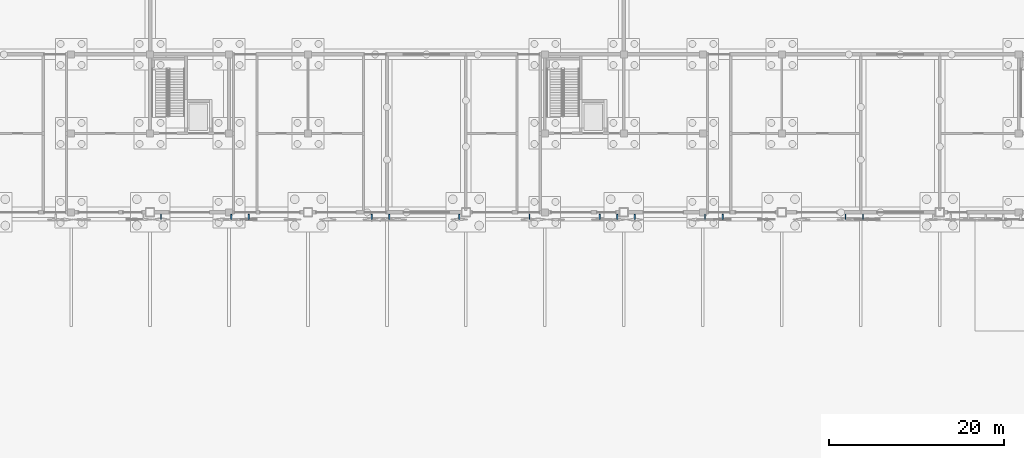
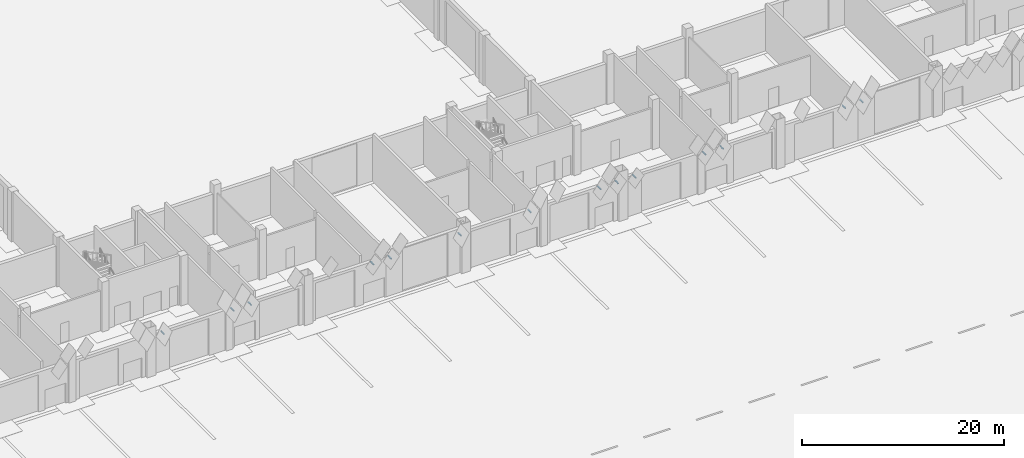
# One storey, part 119 of 198: 14 discrete accessories.
"""IFC4 building model written with IfcOpenShell, lengths in metres."""

from ifc_helpers import new_model, si_unit, direction, frame, origin, place, context, subcontext, project, spatial, polyline, outline, extrude, material, type_object, element, save


model = new_model("IFC4")

# Units and contexts
model_context = context("Model", 3, precision=1e-05, world=origin(), true_north=direction((0.0, 1.0)))
body_context = subcontext(model_context, "Body", "Model", "MODEL_VIEW")
ifc_project = project(units=[si_unit("LENGTHUNIT", "METRE"), si_unit("AREAUNIT", "SQUARE_METRE"), si_unit("VOLUMEUNIT", "CUBIC_METRE"), si_unit("PLANEANGLEUNIT", "RADIAN"), si_unit("MASSUNIT", "GRAM", prefix="KILO")], contexts=[model_context])

# Site, building, storey
site_placement = place(None, origin())
site = spatial("IfcSite", under=ifc_project, at=site_placement, CompositionType="ELEMENT")
building_placement = place(site_placement, origin())
building = spatial("IfcBuilding", under=site, at=building_placement, Name="Opaline Strait Convention Centre", CompositionType="ELEMENT")
storey_placement = place(building_placement, origin())
storey = spatial("IfcBuildingStorey", under=building, at=storey_placement, Name="L00", CompositionType="ELEMENT", Elevation=0.0)

# Discrete accessories
ifc_material = material(Name="Steel Q355B", Category="steel")
discrete_accessory_type = type_object("IfcDiscreteAccessoryType", Name="Tile bracket 100x100 steel", PredefinedType="BRACKET", material=ifc_material)
discrete_accessory_1_placement = place(storey_placement, frame((154.199951171875, 53.800048828125, 4.89208984375), z_axis=(1.0, 0.0, 0.0), x_axis=(0.0, 1.0, 0.0)))
element("IfcDiscreteAccessory", 1, at=discrete_accessory_1_placement, inside=storey, type_object=discrete_accessory_type, Name="Tile bracket XT15 S", PredefinedType="BRACKET", context=body_context, shape_type="SweptSolid", body=[
    extrude(outline(polyline([(0.0, -0.050048828125), (0.0, 0.050048828125), (-0.593505859375, 0.050048828125), (-0.606689453125, -0.050048828125), (0.0, -0.050048828125)])), origin(), (0.0, 0.0, 1.0), 0.10009765625),
])
discrete_accessory_2_placement = place(storey_placement, frame((162.199951171875, 53.800048828125, 4.89208984375), z_axis=(1.0, 0.0, 0.0), x_axis=(0.0, 1.0, 0.0)))
element("IfcDiscreteAccessory", 2, at=discrete_accessory_2_placement, inside=storey, type_object=discrete_accessory_type, Name="Tile bracket XT09 S", PredefinedType="BRACKET", context=body_context, shape_type="SweptSolid", body=[
    extrude(outline(polyline([(0.0, -0.050048828125), (0.0, 0.050048828125), (-0.595947265625, 0.050048828125), (-0.60400390625, -0.050048828125), (0.0, -0.050048828125)])), origin(), (0.0, 0.0, 1.0), 0.10009765625),
])
discrete_accessory_3_placement = place(storey_placement, frame((164.199951171875, 53.800048828125, 4.89208984375), z_axis=(1.0, 0.0, 0.0), x_axis=(0.0, 1.0, 0.0)))
element("IfcDiscreteAccessory", 3, at=discrete_accessory_3_placement, inside=storey, type_object=discrete_accessory_type, Name="Tile bracket XT06 S", PredefinedType="BRACKET", context=body_context, shape_type="SweptSolid", body=[
    extrude(outline(polyline([(0.0, -0.050048828125), (0.0, 0.050048828125), (-0.597412109375, 0.050048828125), (-0.6025390625, -0.050048828125), (0.0, -0.050048828125)])), origin(), (0.0, 0.0, 1.0), 0.10009765625),
])
discrete_accessory_4_placement = place(storey_placement, frame((178.199951171875, 53.800048828125, 4.89208984375), z_axis=(1.0, 0.0, 0.0), x_axis=(0.0, 1.0, 0.0)))
element("IfcDiscreteAccessory", 4, at=discrete_accessory_4_placement, inside=storey, type_object=discrete_accessory_type, Name="Tile bracket XT14 S", PredefinedType="BRACKET", context=body_context, shape_type="SweptSolid", body=[
    extrude(outline(polyline([(0.0, -0.050048828125), (0.0, 0.050048828125), (-0.606201171875, 0.050048828125), (-0.59375, -0.050048828125), (0.0, -0.050048828125)])), origin(), (0.0, 0.0, 1.0), 0.10009765625),
])
discrete_accessory_5_placement = place(storey_placement, frame((180.199951171875, 53.800048828125, 4.89208984375), z_axis=(1.0, 0.0, 0.0), x_axis=(0.0, 1.0, 0.0)))
element("IfcDiscreteAccessory", 5, at=discrete_accessory_5_placement, inside=storey, type_object=discrete_accessory_type, Name="Tile bracket XT10 S", PredefinedType="BRACKET", context=body_context, shape_type="SweptSolid", body=[
    extrude(outline(polyline([(0.0, -0.050048828125), (0.0, 0.050048828125), (-0.604248046875, 0.050048828125), (-0.595703125, -0.050048828125), (0.0, -0.050048828125)])), origin(), (0.0, 0.0, 1.0), 0.10009765625),
])
discrete_accessory_6_placement = place(storey_placement, frame((188.199951171875, 53.800048828125, 4.89208984375), z_axis=(1.0, 0.0, 0.0), x_axis=(0.0, 1.0, 0.0)))
element("IfcDiscreteAccessory", 6, at=discrete_accessory_6_placement, inside=storey, type_object=discrete_accessory_type, Name="Tile bracket XT12 S", PredefinedType="BRACKET", context=body_context, shape_type="SweptSolid", body=[
    extrude(outline(polyline([(0.0, -0.050048828125), (0.0, 0.050048828125), (-0.5947265625, 0.050048828125), (-0.605224609375, -0.050048828125), (0.0, -0.050048828125)])), origin(), (0.0, 0.0, 1.0), 0.10009765625),
])
discrete_accessory_7_placement = place(storey_placement, frame((196.199951171875, 53.800048828125, 4.89208984375), z_axis=(1.0, 0.0, 0.0), x_axis=(0.0, 1.0, 0.0)))
element("IfcDiscreteAccessory", 7, at=discrete_accessory_7_placement, inside=storey, type_object=discrete_accessory_type, Name="Tile bracket XT13 S", PredefinedType="BRACKET", context=body_context, shape_type="SweptSolid", body=[
    extrude(outline(polyline([(0.0, -0.050048828125), (0.0, 0.050048828125), (-0.59423828125, 0.050048828125), (-0.605712890625, -0.050048828125), (0.0, -0.050048828125)])), origin(), (0.0, 0.0, 1.0), 0.10009765625),
])
discrete_accessory_8_placement = place(storey_placement, frame((204.199951171875, 53.800048828125, 4.89208984375), z_axis=(1.0, 0.0, 0.0), x_axis=(0.0, 1.0, 0.0)))
element("IfcDiscreteAccessory", 8, at=discrete_accessory_8_placement, inside=storey, type_object=discrete_accessory_type, Name="Tile bracket XT07 S", PredefinedType="BRACKET", context=body_context, shape_type="SweptSolid", body=[
    extrude(outline(polyline([(0.0, -0.050048828125), (0.0, 0.050048828125), (-0.60302734375, 0.050048828125), (-0.596923828125, -0.050048828125), (0.0, -0.050048828125)])), origin(), (0.0, 0.0, 1.0), 0.10009765625),
])
discrete_accessory_9_placement = place(storey_placement, frame((206.199951171875, 53.800048828125, 4.89208984375), z_axis=(1.0, 0.0, 0.0), x_axis=(0.0, 1.0, 0.0)))
element("IfcDiscreteAccessory", 9, at=discrete_accessory_9_placement, inside=storey, type_object=discrete_accessory_type, Name="Tile bracket XT11 S", PredefinedType="BRACKET", context=body_context, shape_type="SweptSolid", body=[
    extrude(outline(polyline([(0.0, -0.050048828125), (0.0, 0.050048828125), (-0.604736328125, 0.050048828125), (-0.59521484375, -0.050048828125), (0.0, -0.050048828125)])), origin(), (0.0, 0.0, 1.0), 0.10009765625),
])
discrete_accessory_10_placement = place(storey_placement, frame((208.199951171875, 53.800048828125, 4.89208984375), z_axis=(1.0, 0.0, 0.0), x_axis=(0.0, 1.0, 0.0)))
element("IfcDiscreteAccessory", 10, at=discrete_accessory_10_placement, inside=storey, type_object=discrete_accessory_type, Name="Tile bracket XT14 S", PredefinedType="BRACKET", context=body_context, shape_type="SweptSolid", body=[
    extrude(outline(polyline([(0.0, -0.050048828125), (0.0, 0.050048828125), (-0.606201171875, 0.050048828125), (-0.59375, -0.050048828125), (0.0, -0.050048828125)])), origin(), (0.0, 0.0, 1.0), 0.10009765625),
])
discrete_accessory_11_placement = place(storey_placement, frame((216.199951171875, 53.800048828125, 4.89208984375), z_axis=(1.0, 0.0, 0.0), x_axis=(0.0, 1.0, 0.0)))
element("IfcDiscreteAccessory", 11, at=discrete_accessory_11_placement, inside=storey, type_object=discrete_accessory_type, Name="Tile bracket XT08 S", PredefinedType="BRACKET", context=body_context, shape_type="SweptSolid", body=[
    extrude(outline(polyline([(0.0, -0.050048828125), (0.0, 0.050048828125), (-0.603515625, 0.050048828125), (-0.596435546875, -0.050048828125), (0.0, -0.050048828125)])), origin(), (0.0, 0.0, 1.0), 0.10009765625),
])
discrete_accessory_12_placement = place(storey_placement, frame((218.199951171875, 53.800048828125, 4.89208984375), z_axis=(1.0, 0.0, 0.0), x_axis=(0.0, 1.0, 0.0)))
element("IfcDiscreteAccessory", 12, at=discrete_accessory_12_placement, inside=storey, type_object=discrete_accessory_type, Name="Tile bracket XT05 S", PredefinedType="BRACKET", context=body_context, shape_type="SweptSolid", body=[
    extrude(outline(polyline([(0.0, -0.050048828125), (0.0, 0.050048828125), (-0.602294921875, 0.050048828125), (-0.597900390625, -0.050048828125), (0.0, -0.050048828125)])), origin(), (0.0, 0.0, 1.0), 0.10009765625),
])
discrete_accessory_13_placement = place(storey_placement, frame((232.199951171875, 53.800048828125, 4.89208984375), z_axis=(1.0, 0.0, 0.0), x_axis=(0.0, 1.0, 0.0)))
element("IfcDiscreteAccessory", 13, at=discrete_accessory_13_placement, inside=storey, type_object=discrete_accessory_type, Name="Tile bracket XT10 S", PredefinedType="BRACKET", context=body_context, shape_type="SweptSolid", body=[
    extrude(outline(polyline([(0.0, -0.050048828125), (0.0, 0.050048828125), (-0.595703125, 0.050048828125), (-0.604248046875, -0.050048828125), (0.0, -0.050048828125)])), origin(), (0.0, 0.0, 1.0), 0.10009765625),
])
discrete_accessory_14_placement = place(storey_placement, frame((234.199951171875, 53.800048828125, 4.89208984375), z_axis=(1.0, 0.0, 0.0), x_axis=(0.0, 1.0, 0.0)))
element("IfcDiscreteAccessory", 14, at=discrete_accessory_14_placement, inside=storey, type_object=discrete_accessory_type, Name="Tile bracket XT06 S", PredefinedType="BRACKET", context=body_context, shape_type="SweptSolid", body=[
    extrude(outline(polyline([(0.0, -0.050048828125), (0.0, 0.050048828125), (-0.597412109375, 0.050048828125), (-0.6025390625, -0.050048828125), (0.0, -0.050048828125)])), origin(), (0.0, 0.0, 1.0), 0.10009765625),
])

save(model, "model.ifc")
